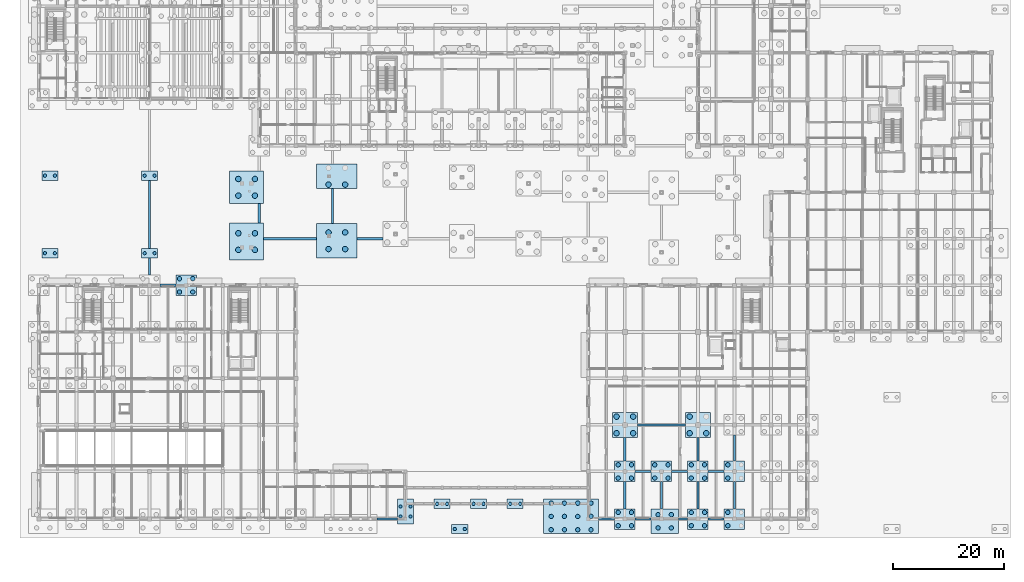
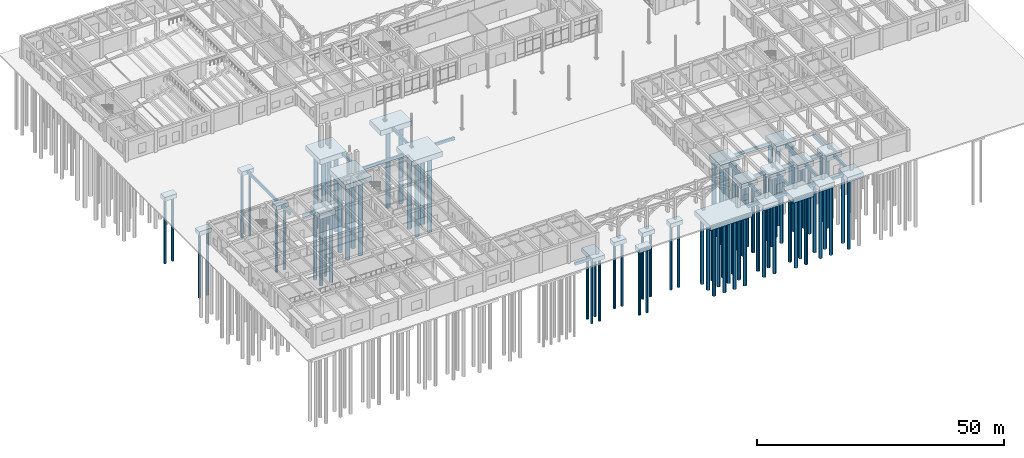
# One storey, part 2 of 82: 85 piles, 48 footings.
"""IFC4 building model written with IfcOpenShell, lengths in metres."""

from ifc_helpers import new_model, si_unit, direction, frame, origin, origin_2d, place, context, subcontext, project, spatial, rectangle, circle, extrude, material, material_profile, profile_set, type_object, element, save


model = new_model("IFC4")

# Units and contexts
model_context = context("Model", 3, precision=1e-05, world=origin(), true_north=direction((0.0, 1.0)))
body_context = subcontext(model_context, "Body", "Model", "MODEL_VIEW")
ifc_project = project(units=[si_unit("LENGTHUNIT", "METRE"), si_unit("AREAUNIT", "SQUARE_METRE"), si_unit("VOLUMEUNIT", "CUBIC_METRE"), si_unit("PLANEANGLEUNIT", "RADIAN"), si_unit("MASSUNIT", "GRAM", prefix="KILO")], contexts=[model_context])

# Site, building, storey
site_placement = place(None, origin())
site = spatial("IfcSite", under=ifc_project, at=site_placement, CompositionType="ELEMENT")
building_placement = place(site_placement, origin())
building = spatial("IfcBuilding", under=site, at=building_placement, Name="Kolvaren Faculty of Natural Sciences", CompositionType="ELEMENT")
storey_placement = place(building_placement, origin())
storey = spatial("IfcBuildingStorey", under=building, at=storey_placement, Name="L00", CompositionType="ELEMENT", Elevation=0.0)

# Piles
ifc_material = material(Name="Concrete C35/45", Category="concrete")
ifc_material_profile_1 = material_profile(ifc_material, circle(Radius=0.5, at=origin_2d()), Name="PILE D1000")
ifc_profile_set_1 = profile_set([ifc_material_profile_1], Name="Concrete C35/45")
pile_type_1 = type_object("IfcPileType", Name="BoredPile_1000", PredefinedType="BORED", material=ifc_profile_set_1)
for number, where, z_axis, x_axis, name in (
    (1, (36.02490234375, 48.60009765625, -1.469970703125), (0.0, 0.0, -1.0), (1.0, 0.0, 0.0), "Rock-socketed bored pile BP-1000 under CAP-127"),
    (2, (36.02490234375, 51.60009765625, -1.469970703125), (0.0, 0.0, -1.0), (1.0, 0.0, 0.0), "Rock-socketed bored pile BP-1000 under CAP-127"),
    (3, (39.02490234375, 48.60009765625, -1.469970703125), (0.0, 0.0, -1.0), (1.0, 0.0, 0.0), "Rock-socketed bored pile BP-1000 under CAP-127"),
    (4, (39.02490234375, 51.60009765625, -1.469970703125), (0.0, 0.0, -1.0), (1.0, 0.0, 0.0), "Rock-socketed bored pile BP-1000 under CAP-127"),
    (5, (36.02490234375, 58.39990234375, -1.469970703125), (0.0, 0.0, -1.0), (1.0, 0.0, 0.0), "Rock-socketed bored pile BP-1000 under CAP-128"),
    (6, (36.02490234375, 61.39990234375, -1.469970703125), (0.0, 0.0, -1.0), (1.0, 0.0, 0.0), "Rock-socketed bored pile BP-1000 under CAP-128"),
    (7, (39.02490234375, 58.39990234375, -1.469970703125), (0.0, 0.0, -1.0), (1.0, 0.0, 0.0), "Rock-socketed bored pile BP-1000 under CAP-128"),
    (8, (39.02490234375, 61.39990234375, -1.469970703125), (0.0, 0.0, -1.0), (1.0, 0.0, 0.0), "Rock-socketed bored pile BP-1000 under CAP-128"),
    (9, (52.300048828125, 48.7451171875, -1.469970703125), (0.0, 0.0, -1.0), (1.0, 0.0, 0.0), "Rock-socketed bored pile BP-1000 under CAP-145"),
    (10, (52.300048828125, 51.7451171875, -1.469970703125), (0.0, 0.0, -1.0), (1.0, 0.0, 0.0), "Rock-socketed bored pile BP-1000 under CAP-145"),
    (11, (55.300048828125, 48.7451171875, -1.469970703125), (0.0, 0.0, -1.0), (1.0, 0.0, 0.0), "Rock-socketed bored pile BP-1000 under CAP-145"),
    (12, (55.300048828125, 51.7451171875, -1.469970703125), (0.0, 0.0, -1.0), (1.0, 0.0, 0.0), "Rock-socketed bored pile BP-1000 under CAP-145"),
    (13, (52.300048828125, 60.389892578125, -1.469970703125), (0.0, 0.0, -1.0), (1.0, 0.0, 0.0), "Rock-socketed bored pile BP-1000 under CAP-146"),
    (14, (55.300048828125, 60.389892578125, -1.469970703125), (0.0, 0.0, -1.0), (1.0, 0.0, 0.0), "Rock-socketed bored pile BP-1000 under CAP-146"),
    (15, (104.300048828125, 15.5, -1.469970703125), (0.0, 0.0, -1.0), (1.0, 0.0, 0.0), "Rock-socketed bored pile BP-1000 under CAP-191"),
    (16, (104.300048828125, 18.5, -1.469970703125), (0.0, 0.0, -1.0), (1.0, 0.0, 0.0), "Rock-socketed bored pile BP-1000 under CAP-191"),
    (17, (107.300048828125, 15.5, -1.469970703125), (0.0, 0.0, -1.0), (1.0, 0.0, 0.0), "Rock-socketed bored pile BP-1000 under CAP-191"),
    (18, (107.300048828125, 18.5, -1.469970703125), (0.0, 0.0, -1.0), (1.0, 0.0, 0.0), "Rock-socketed bored pile BP-1000 under CAP-191"),
    (19, (117.5, 15.5, -1.469970703125), (0.0, 0.0, -1.0), (1.0, 0.0, 0.0), "Rock-socketed bored pile BP-1000 under CAP-205"),
    (20, (117.5, 18.5, -1.469970703125), (0.0, 0.0, -1.0), (1.0, 0.0, 0.0), "Rock-socketed bored pile BP-1000 under CAP-205"),
    (21, (120.5, 15.5, -1.469970703125), (0.0, 0.0, -1.0), (1.0, 0.0, 0.0), "Rock-socketed bored pile BP-1000 under CAP-205"),
):
    element("IfcPile", number, at=place(storey_placement, frame(where, z_axis=z_axis, x_axis=x_axis)), inside=storey, type_object=pile_type_1, Name=name, PredefinedType="BORED", context=body_context, shape_type="SweptSolid", body=[
        extrude(circle(Radius=0.5, at=origin_2d()), origin(), (0.0, 0.0, 1.0), 18.830078125),
    ])
ifc_material_profile_2 = material_profile(ifc_material, circle(Radius=0.300048828125, at=origin_2d()), Name="PILE D600")
ifc_profile_set_2 = profile_set([ifc_material_profile_2], Name="Concrete C35/45")
pile_type_2 = type_object("IfcPileType", Name="BoredPile_600", PredefinedType="BORED", material=ifc_profile_set_2)
for number, where, z_axis, x_axis, name in (
    (22, (1.10009765625, 48.0, -1.27001953125), (0.0, 0.0, -1.0), (1.0, 0.0, 0.0), "Rock-socketed bored pile BP-600 under CAP-091"),
    (23, (2.89990234375, 48.0, -1.27001953125), (0.0, 0.0, -1.0), (1.0, 0.0, 0.0), "Rock-socketed bored pile BP-600 under CAP-091"),
    (24, (1.10009765625, 62.0, -1.27001953125), (0.0, 0.0, -1.0), (1.0, 0.0, 0.0), "Rock-socketed bored pile BP-600 under CAP-092"),
    (25, (2.89990234375, 62.0, -1.27001953125), (0.0, 0.0, -1.0), (1.0, 0.0, 0.0), "Rock-socketed bored pile BP-600 under CAP-092"),
    (26, (19.10009765625, 48.0, -1.27001953125), (0.0, 0.0, -1.0), (1.0, 0.0, 0.0), "Rock-socketed bored pile BP-600 under CAP-112"),
    (27, (20.89990234375, 48.0, -1.27001953125), (0.0, 0.0, -1.0), (1.0, 0.0, 0.0), "Rock-socketed bored pile BP-600 under CAP-112"),
    (28, (19.10009765625, 62.0, -1.27001953125), (0.0, 0.0, -1.0), (1.0, 0.0, 0.0), "Rock-socketed bored pile BP-600 under CAP-113"),
    (29, (20.89990234375, 62.0, -1.27001953125), (0.0, 0.0, -1.0), (1.0, 0.0, 0.0), "Rock-socketed bored pile BP-600 under CAP-113"),
    (30, (65.300048828125, 0.47509765625, -1.27001953125), (0.0, 0.0, -1.0), (1.0, 0.0, 0.0), "Rock-socketed bored pile BP-600 under CAP-158"),
    (31, (65.300048828125, 2.27490234375, -1.27001953125), (0.0, 0.0, -1.0), (1.0, 0.0, 0.0), "Rock-socketed bored pile BP-600 under CAP-158"),
    (32, (67.10009765625, 0.47509765625, -1.27001953125), (0.0, 0.0, -1.0), (1.0, 0.0, 0.0), "Rock-socketed bored pile BP-600 under CAP-158"),
    (33, (67.10009765625, 2.27490234375, -1.27001953125), (0.0, 0.0, -1.0), (1.0, 0.0, 0.0), "Rock-socketed bored pile BP-600 under CAP-158"),
    (34, (71.89990234375, 2.75, -1.27001953125), (0.0, 0.0, -1.0), (1.0, 0.0, 0.0), "Rock-socketed bored pile BP-600 under CAP-162"),
    (35, (73.699951171875, 2.75, -1.27001953125), (0.0, 0.0, -1.0), (1.0, 0.0, 0.0), "Rock-socketed bored pile BP-600 under CAP-162"),
    (36, (75.10009765625, -1.800048828125, -1.27001953125), (0.0, 0.0, -1.0), (1.0, 0.0, 0.0), "Rock-socketed bored pile BP-600 under CAP-167"),
    (37, (76.89990234375, -1.800048828125, -1.27001953125), (0.0, 0.0, -1.0), (1.0, 0.0, 0.0), "Rock-socketed bored pile BP-600 under CAP-167"),
    (38, (78.5, 2.75, -1.27001953125), (0.0, 0.0, -1.0), (1.0, 0.0, 0.0), "Rock-socketed bored pile BP-600 under CAP-172"),
    (39, (80.300048828125, 2.75, -1.27001953125), (0.0, 0.0, -1.0), (1.0, 0.0, 0.0), "Rock-socketed bored pile BP-600 under CAP-172"),
    (40, (85.10009765625, 2.75, -1.27001953125), (0.0, 0.0, -1.0), (1.0, 0.0, 0.0), "Rock-socketed bored pile BP-600 under CAP-175"),
    (41, (86.89990234375, 2.75, -1.27001953125), (0.0, 0.0, -1.0), (1.0, 0.0, 0.0), "Rock-socketed bored pile BP-600 under CAP-175"),
):
    element("IfcPile", number, at=place(storey_placement, frame(where, z_axis=z_axis, x_axis=x_axis)), inside=storey, type_object=pile_type_2, Name=name, PredefinedType="BORED", context=body_context, shape_type="SweptSolid", body=[
        extrude(circle(Radius=0.300048828125, at=origin_2d()), origin(), (0.0, 0.0, 1.0), 15.929931640625),
    ])
ifc_material_profile_3 = material_profile(ifc_material, circle(Radius=0.39990234375, at=origin_2d()), Name="PILE D800")
ifc_profile_set_3 = profile_set([ifc_material_profile_3], Name="Concrete C35/45")
pile_type_3 = type_object("IfcPileType", Name="BoredPile_800", PredefinedType="BORED", material=ifc_profile_set_3)
for number, where, z_axis, x_axis, name in (
    (42, (25.39990234375, 41.0, -1.469970703125), (0.0, 0.0, -1.0), (1.0, 0.0, 0.0), "Rock-socketed bored pile BP-800 under CAP-117"),
    (43, (25.39990234375, 43.39990234375, -1.469970703125), (0.0, 0.0, -1.0), (1.0, 0.0, 0.0), "Rock-socketed bored pile BP-800 under CAP-117"),
    (44, (27.800048828125, 41.0, -1.469970703125), (0.0, 0.0, -1.0), (1.0, 0.0, 0.0), "Rock-socketed bored pile BP-800 under CAP-117"),
    (45, (27.800048828125, 43.39990234375, -1.469970703125), (0.0, 0.0, -1.0), (1.0, 0.0, 0.0), "Rock-socketed bored pile BP-800 under CAP-117"),
    (46, (92.5, -1.925048828125, -1.469970703125), (0.0, 0.0, -1.0), (1.0, 0.0, 0.0), "Rock-socketed bored pile BP-800 under CAP-181"),
    (47, (92.5, 0.47509765625, -1.469970703125), (0.0, 0.0, -1.0), (1.0, 0.0, 0.0), "Rock-socketed bored pile BP-800 under CAP-181"),
    (48, (92.5, 2.875, -1.469970703125), (0.0, 0.0, -1.0), (1.0, 0.0, 0.0), "Rock-socketed bored pile BP-800 under CAP-181"),
    (49, (94.89990234375, -1.925048828125, -1.469970703125), (0.0, 0.0, -1.0), (1.0, 0.0, 0.0), "Rock-socketed bored pile BP-800 under CAP-181"),
    (50, (94.89990234375, 0.47509765625, -1.469970703125), (0.0, 0.0, -1.0), (1.0, 0.0, 0.0), "Rock-socketed bored pile BP-800 under CAP-181"),
    (51, (94.89990234375, 2.875, -1.469970703125), (0.0, 0.0, -1.0), (1.0, 0.0, 0.0), "Rock-socketed bored pile BP-800 under CAP-181"),
    (52, (97.300048828125, -1.925048828125, -1.469970703125), (0.0, 0.0, -1.0), (1.0, 0.0, 0.0), "Rock-socketed bored pile BP-800 under CAP-181"),
    (53, (97.300048828125, 0.47509765625, -1.469970703125), (0.0, 0.0, -1.0), (1.0, 0.0, 0.0), "Rock-socketed bored pile BP-800 under CAP-181"),
    (54, (97.300048828125, 2.875, -1.469970703125), (0.0, 0.0, -1.0), (1.0, 0.0, 0.0), "Rock-socketed bored pile BP-800 under CAP-181"),
    (55, (99.699951171875, -1.925048828125, -1.469970703125), (0.0, 0.0, -1.0), (1.0, 0.0, 0.0), "Rock-socketed bored pile BP-800 under CAP-181"),
    (56, (99.699951171875, 0.47509765625, -1.469970703125), (0.0, 0.0, -1.0), (1.0, 0.0, 0.0), "Rock-socketed bored pile BP-800 under CAP-181"),
    (57, (99.699951171875, 2.875, -1.469970703125), (0.0, 0.0, -1.0), (1.0, 0.0, 0.0), "Rock-socketed bored pile BP-800 under CAP-181"),
    (58, (104.60009765625, -1.199951171875, -1.469970703125), (0.0, 0.0, -1.0), (1.0, 0.0, 0.0), "Rock-socketed bored pile BP-800 under CAP-192"),
    (59, (104.60009765625, 1.199951171875, -1.469970703125), (0.0, 0.0, -1.0), (1.0, 0.0, 0.0), "Rock-socketed bored pile BP-800 under CAP-192"),
    (60, (107.0, -1.199951171875, -1.469970703125), (0.0, 0.0, -1.0), (1.0, 0.0, 0.0), "Rock-socketed bored pile BP-800 under CAP-192"),
    (61, (107.0, 1.199951171875, -1.469970703125), (0.0, 0.0, -1.0), (1.0, 0.0, 0.0), "Rock-socketed bored pile BP-800 under CAP-192"),
    (62, (104.60009765625, 7.39990234375, -1.469970703125), (0.0, 0.0, -1.0), (1.0, 0.0, 0.0), "Rock-socketed bored pile BP-800 under CAP-193"),
    (63, (104.60009765625, 9.800048828125, -1.469970703125), (0.0, 0.0, -1.0), (1.0, 0.0, 0.0), "Rock-socketed bored pile BP-800 under CAP-193"),
    (64, (107.0, 7.39990234375, -1.469970703125), (0.0, 0.0, -1.0), (1.0, 0.0, 0.0), "Rock-socketed bored pile BP-800 under CAP-193"),
    (65, (107.0, 9.800048828125, -1.469970703125), (0.0, 0.0, -1.0), (1.0, 0.0, 0.0), "Rock-socketed bored pile BP-800 under CAP-193"),
    (66, (111.800048828125, -1.60009765625, -1.469970703125), (0.0, 0.0, -1.0), (1.0, 0.0, 0.0), "Rock-socketed bored pile BP-800 under CAP-199"),
    (67, (111.800048828125, 0.800048828125, -1.469970703125), (0.0, 0.0, -1.0), (1.0, 0.0, 0.0), "Rock-socketed bored pile BP-800 under CAP-199"),
    (68, (114.199951171875, -1.60009765625, -1.469970703125), (0.0, 0.0, -1.0), (1.0, 0.0, 0.0), "Rock-socketed bored pile BP-800 under CAP-199"),
    (69, (114.199951171875, 0.800048828125, -1.469970703125), (0.0, 0.0, -1.0), (1.0, 0.0, 0.0), "Rock-socketed bored pile BP-800 under CAP-199"),
    (70, (111.199951171875, 7.39990234375, -1.469970703125), (0.0, 0.0, -1.0), (1.0, 0.0, 0.0), "Rock-socketed bored pile BP-800 under CAP-200"),
    (71, (111.199951171875, 9.800048828125, -1.469970703125), (0.0, 0.0, -1.0), (1.0, 0.0, 0.0), "Rock-socketed bored pile BP-800 under CAP-200"),
    (72, (113.60009765625, 7.39990234375, -1.469970703125), (0.0, 0.0, -1.0), (1.0, 0.0, 0.0), "Rock-socketed bored pile BP-800 under CAP-200"),
    (73, (113.60009765625, 9.800048828125, -1.469970703125), (0.0, 0.0, -1.0), (1.0, 0.0, 0.0), "Rock-socketed bored pile BP-800 under CAP-200"),
    (74, (117.800048828125, -1.199951171875, -1.469970703125), (0.0, 0.0, -1.0), (1.0, 0.0, 0.0), "Rock-socketed bored pile BP-800 under CAP-208"),
    (75, (117.800048828125, 1.199951171875, -1.469970703125), (0.0, 0.0, -1.0), (1.0, 0.0, 0.0), "Rock-socketed bored pile BP-800 under CAP-208"),
    (76, (120.199951171875, -1.199951171875, -1.469970703125), (0.0, 0.0, -1.0), (1.0, 0.0, 0.0), "Rock-socketed bored pile BP-800 under CAP-208"),
    (77, (120.199951171875, 1.199951171875, -1.469970703125), (0.0, 0.0, -1.0), (1.0, 0.0, 0.0), "Rock-socketed bored pile BP-800 under CAP-208"),
    (78, (117.800048828125, 7.39990234375, -1.469970703125), (0.0, 0.0, -1.0), (1.0, 0.0, 0.0), "Rock-socketed bored pile BP-800 under CAP-209"),
    (79, (117.800048828125, 9.800048828125, -1.469970703125), (0.0, 0.0, -1.0), (1.0, 0.0, 0.0), "Rock-socketed bored pile BP-800 under CAP-209"),
    (80, (120.199951171875, 7.39990234375, -1.469970703125), (0.0, 0.0, -1.0), (1.0, 0.0, 0.0), "Rock-socketed bored pile BP-800 under CAP-209"),
    (81, (120.199951171875, 9.800048828125, -1.469970703125), (0.0, 0.0, -1.0), (1.0, 0.0, 0.0), "Rock-socketed bored pile BP-800 under CAP-209"),
    (82, (124.39990234375, -1.199951171875, -1.469970703125), (0.0, 0.0, -1.0), (1.0, 0.0, 0.0), "Rock-socketed bored pile BP-800 under CAP-212"),
    (83, (124.39990234375, 1.199951171875, -1.469970703125), (0.0, 0.0, -1.0), (1.0, 0.0, 0.0), "Rock-socketed bored pile BP-800 under CAP-212"),
    (84, (124.39990234375, 7.39990234375, -1.469970703125), (0.0, 0.0, -1.0), (1.0, 0.0, 0.0), "Rock-socketed bored pile BP-800 under CAP-213"),
    (85, (124.39990234375, 9.800048828125, -1.469970703125), (0.0, 0.0, -1.0), (1.0, 0.0, 0.0), "Rock-socketed bored pile BP-800 under CAP-213"),
):
    element("IfcPile", number, at=place(storey_placement, frame(where, z_axis=z_axis, x_axis=x_axis)), inside=storey, type_object=pile_type_3, Name=name, PredefinedType="BORED", context=body_context, shape_type="SweptSolid", body=[
        extrude(circle(Radius=0.39990234375, at=origin_2d()), origin(), (0.0, 0.0, 1.0), 16.929931640625),
    ])

# Footings
ifc_material_profile_4 = material_profile(ifc_material, rectangle(XDim=0.39990234375, YDim=0.699951171875, at=origin_2d()), Name="RC FB 400x700")
ifc_profile_set_4 = profile_set([ifc_material_profile_4], Name="Concrete C35/45")
footing_type_1 = type_object("IfcFootingType", Name="FootingTieBeam_400x700", PredefinedType="FOOTING_BEAM", material=ifc_profile_set_4)
footing_1_placement = place(storey_placement, frame((61.050048828125, 0.0, -0.75), z_axis=(1.0, 0.0, 0.0), x_axis=(0.0, 1.0, 0.0)))
element("IfcFooting", 86, at=footing_1_placement, inside=storey, type_object=footing_type_1, Name="L00 orthogonal foundation tie beam FB-01", PredefinedType="FOOTING_BEAM", context=body_context, shape_type="SweptSolid", body=[
    extrude(rectangle(XDim=0.39990234375, YDim=0.699951171875, at=origin_2d()), origin(), (0.0, 0.0, 1.0), 3.699951171875),
])
footing_2_placement = place(storey_placement, frame((101.050048828125, 0.0, -0.75), z_axis=(1.0, 0.0, 0.0), x_axis=(0.0, 1.0, 0.0)))
element("IfcFooting", 87, at=footing_2_placement, inside=storey, type_object=footing_type_1, Name="L00 orthogonal foundation tie beam FB-01", PredefinedType="FOOTING_BEAM", context=body_context, shape_type="SweptSolid", body=[
    extrude(rectangle(XDim=0.39990234375, YDim=0.699951171875, at=origin_2d()), origin(), (0.0, 0.0, 1.0), 2.89990234375),
])
footing_3_placement = place(storey_placement, frame((107.64990234375, 0.0, -0.75), z_axis=(1.0, 0.0, 0.0), x_axis=(0.0, 1.0, 0.0)))
element("IfcFooting", 88, at=footing_3_placement, inside=storey, type_object=footing_type_1, Name="L00 orthogonal foundation tie beam FB-01", PredefinedType="FOOTING_BEAM", context=body_context, shape_type="SweptSolid", body=[
    extrude(rectangle(XDim=0.39990234375, YDim=0.699951171875, at=origin_2d()), origin(), (0.0, 0.0, 1.0), 2.900146484375),
])
footing_4_placement = place(storey_placement, frame((115.449951171875, 0.0, -0.75), z_axis=(1.0, 0.0, 0.0), x_axis=(0.0, 1.0, 0.0)))
element("IfcFooting", 89, at=footing_4_placement, inside=storey, type_object=footing_type_1, Name="L00 orthogonal foundation tie beam FB-01", PredefinedType="FOOTING_BEAM", context=body_context, shape_type="SweptSolid", body=[
    extrude(rectangle(XDim=0.39990234375, YDim=0.699951171875, at=origin_2d()), origin(), (0.0, 0.0, 1.0), 1.699951171875),
])
footing_5_placement = place(storey_placement, frame((120.85009765625, 0.0, -0.75), z_axis=(1.0, 0.0, 0.0), x_axis=(0.0, 1.0, 0.0)))
element("IfcFooting", 90, at=footing_5_placement, inside=storey, type_object=footing_type_1, Name="L00 orthogonal foundation tie beam FB-01", PredefinedType="FOOTING_BEAM", context=body_context, shape_type="SweptSolid", body=[
    extrude(rectangle(XDim=0.39990234375, YDim=0.699951171875, at=origin_2d()), origin(), (0.0, 0.0, 1.0), 2.89990234375),
])
footing_6_placement = place(storey_placement, frame((107.64990234375, 8.60009765625, -0.75), z_axis=(1.0, 0.0, 0.0), x_axis=(0.0, 1.0, 0.0)))
element("IfcFooting", 91, at=footing_6_placement, inside=storey, type_object=footing_type_1, Name="L00 orthogonal foundation tie beam FB-01", PredefinedType="FOOTING_BEAM", context=body_context, shape_type="SweptSolid", body=[
    extrude(rectangle(XDim=0.39990234375, YDim=0.699951171875, at=origin_2d()), origin(), (0.0, 0.0, 1.0), 2.900146484375),
])
for number, where, z_axis, x_axis, name in (
    (92, (114.25, 8.60009765625, -0.75), (1.0, 0.0, 0.0), (0.0, 1.0, 0.0), "L00 orthogonal foundation tie beam FB-01"),
    (93, (120.85009765625, 8.60009765625, -0.75), (1.0, 0.0, 0.0), (0.0, 1.0, 0.0), "L00 orthogonal foundation tie beam FB-01"),
):
    element("IfcFooting", number, at=place(storey_placement, frame(where, z_axis=z_axis, x_axis=x_axis)), inside=storey, type_object=footing_type_1, Name=name, PredefinedType="FOOTING_BEAM", context=body_context, shape_type="SweptSolid", body=[
        extrude(rectangle(XDim=0.39990234375, YDim=0.699951171875, at=origin_2d()), origin(), (0.0, 0.0, 1.0), 2.89990234375),
    ])
footing_7_placement = place(storey_placement, frame((108.050048828125, 17.0, -0.75), z_axis=(1.0, 0.0, 0.0), x_axis=(0.0, 1.0, 0.0)))
element("IfcFooting", 94, at=footing_7_placement, inside=storey, type_object=footing_type_1, Name="L00 orthogonal foundation tie beam FB-01", PredefinedType="FOOTING_BEAM", context=body_context, shape_type="SweptSolid", body=[
    extrude(rectangle(XDim=0.39990234375, YDim=0.699951171875, at=origin_2d()), origin(), (0.0, 0.0, 1.0), 8.699951171875),
])
footing_8_placement = place(storey_placement, frame((21.85009765625, 42.199951171875, -0.75), z_axis=(1.0, 0.0, 0.0), x_axis=(0.0, 1.0, 0.0)))
element("IfcFooting", 95, at=footing_8_placement, inside=storey, type_object=footing_type_1, Name="L00 orthogonal foundation tie beam FB-01", PredefinedType="FOOTING_BEAM", context=body_context, shape_type="SweptSolid", body=[
    extrude(rectangle(XDim=0.39990234375, YDim=0.699951171875, at=origin_2d()), origin(), (0.0, 0.0, 1.0), 2.89990234375),
])
footing_9_placement = place(storey_placement, frame((40.60009765625, 50.60009765625, -0.75), z_axis=(1.0, 0.0, 0.0), x_axis=(0.0, 1.0, 0.0)))
element("IfcFooting", 96, at=footing_9_placement, inside=storey, type_object=footing_type_1, Name="L00 orthogonal foundation tie beam FB-01", PredefinedType="FOOTING_BEAM", context=body_context, shape_type="SweptSolid", body=[
    extrude(rectangle(XDim=0.39990234375, YDim=0.699951171875, at=origin_2d()), origin(), (0.0, 0.0, 1.0), 9.5498046875),
])
footing_10_placement = place(storey_placement, frame((57.449951171875, 50.60009765625, -0.75), z_axis=(1.0, 0.0, 0.0), x_axis=(0.0, 1.0, 0.0)))
element("IfcFooting", 97, at=footing_10_placement, inside=storey, type_object=footing_type_1, Name="L00 orthogonal foundation tie beam FB-01", PredefinedType="FOOTING_BEAM", context=body_context, shape_type="SweptSolid", body=[
    extrude(rectangle(XDim=0.39990234375, YDim=0.699951171875, at=origin_2d()), origin(), (0.0, 0.0, 1.0), 4.699951171875),
])
footing_11_placement = place(storey_placement, frame((20.0, 44.050048828125, -0.75), z_axis=(0.0, 1.0, 0.0), x_axis=(-1.0, 0.0, 0.0)))
element("IfcFooting", 98, at=footing_11_placement, inside=storey, type_object=footing_type_1, Name="L00 orthogonal foundation tie beam FB-01", PredefinedType="FOOTING_BEAM", context=body_context, shape_type="SweptSolid", body=[
    extrude(rectangle(XDim=0.39990234375, YDim=0.699951171875, at=origin_2d()), origin(), (0.0, 0.0, 1.0), 3.099853515625),
])
footing_12_placement = place(storey_placement, frame((20.0, 48.85009765625, -0.75), z_axis=(0.0, 1.0, 0.0), x_axis=(-1.0, 0.0, 0.0)))
element("IfcFooting", 99, at=footing_12_placement, inside=storey, type_object=footing_type_1, Name="L00 orthogonal foundation tie beam FB-01", PredefinedType="FOOTING_BEAM", context=body_context, shape_type="SweptSolid", body=[
    extrude(rectangle(XDim=0.39990234375, YDim=0.699951171875, at=origin_2d()), origin(), (0.0, 0.0, 1.0), 12.2998046875),
])
footing_13_placement = place(storey_placement, frame((39.800048828125, 53.449951171875, -0.75), z_axis=(0.0, 1.0, 0.0), x_axis=(-1.0, 0.0, 0.0)))
element("IfcFooting", 100, at=footing_13_placement, inside=storey, type_object=footing_type_1, Name="L00 orthogonal foundation tie beam FB-01", PredefinedType="FOOTING_BEAM", context=body_context, shape_type="SweptSolid", body=[
    extrude(rectangle(XDim=0.39990234375, YDim=0.699951171875, at=origin_2d()), origin(), (0.0, 0.0, 1.0), 3.5),
])
footing_14_placement = place(storey_placement, frame((53.0, 53.340087890625, -0.75), z_axis=(0.0, 1.0, 0.0), x_axis=(-1.0, 0.0, 0.0)))
element("IfcFooting", 101, at=footing_14_placement, inside=storey, type_object=footing_type_1, Name="L00 orthogonal foundation tie beam FB-01", PredefinedType="FOOTING_BEAM", context=body_context, shape_type="SweptSolid", body=[
    extrude(rectangle(XDim=0.39990234375, YDim=0.699951171875, at=origin_2d()), origin(), (0.0, 0.0, 1.0), 6.2998046875),
])
footing_15_placement = place(storey_placement, frame((105.800048828125, 1.85009765625, -0.75), z_axis=(0.0, 1.0, 0.0), x_axis=(-1.0, 0.0, 0.0)))
element("IfcFooting", 102, at=footing_15_placement, inside=storey, type_object=footing_type_1, Name="L00 orthogonal foundation tie beam FB-01", PredefinedType="FOOTING_BEAM", context=body_context, shape_type="SweptSolid", body=[
    extrude(rectangle(XDim=0.39990234375, YDim=0.699951171875, at=origin_2d()), origin(), (0.0, 0.0, 1.0), 4.89990234375),
])
footing_16_placement = place(storey_placement, frame((105.800048828125, 10.449951171875, -0.75), z_axis=(0.0, 1.0, 0.0), x_axis=(-1.0, 0.0, 0.0)))
element("IfcFooting", 103, at=footing_16_placement, inside=storey, type_object=footing_type_1, Name="L00 orthogonal foundation tie beam FB-01", PredefinedType="FOOTING_BEAM", context=body_context, shape_type="SweptSolid", body=[
    extrude(rectangle(XDim=0.39990234375, YDim=0.699951171875, at=origin_2d()), origin(), (0.0, 0.0, 1.0), 4.300048828125),
])
for number, where, z_axis, x_axis, name in (
    (104, (112.39990234375, 1.85009765625, -0.75), (0.0, 1.0, 0.0), (-1.0, 0.0, 0.0), "L00 orthogonal foundation tie beam FB-01"),
    (105, (119.0, 1.85009765625, -0.75), (0.0, 1.0, 0.0), (-1.0, 0.0, 0.0), "L00 orthogonal foundation tie beam FB-01"),
):
    element("IfcFooting", number, at=place(storey_placement, frame(where, z_axis=z_axis, x_axis=x_axis)), inside=storey, type_object=footing_type_1, Name=name, PredefinedType="FOOTING_BEAM", context=body_context, shape_type="SweptSolid", body=[
        extrude(rectangle(XDim=0.39990234375, YDim=0.699951171875, at=origin_2d()), origin(), (0.0, 0.0, 1.0), 4.89990234375),
    ])
footing_17_placement = place(storey_placement, frame((119.0, 10.449951171875, -0.75), z_axis=(0.0, 1.0, 0.0), x_axis=(-1.0, 0.0, 0.0)))
element("IfcFooting", 106, at=footing_17_placement, inside=storey, type_object=footing_type_1, Name="L00 orthogonal foundation tie beam FB-01", PredefinedType="FOOTING_BEAM", context=body_context, shape_type="SweptSolid", body=[
    extrude(rectangle(XDim=0.39990234375, YDim=0.699951171875, at=origin_2d()), origin(), (0.0, 0.0, 1.0), 4.300048828125),
])
footing_18_placement = place(storey_placement, frame((125.60009765625, 1.85009765625, -0.75), z_axis=(0.0, 1.0, 0.0), x_axis=(-1.0, 0.0, 0.0)))
element("IfcFooting", 107, at=footing_18_placement, inside=storey, type_object=footing_type_1, Name="L00 orthogonal foundation tie beam FB-01", PredefinedType="FOOTING_BEAM", context=body_context, shape_type="SweptSolid", body=[
    extrude(rectangle(XDim=0.39990234375, YDim=0.699951171875, at=origin_2d()), origin(), (0.0, 0.0, 1.0), 4.89990234375),
])
footing_19_placement = place(storey_placement, frame((125.60009765625, 10.449951171875, -0.75), z_axis=(0.0, 1.0, 0.0), x_axis=(-1.0, 0.0, 0.0)))
element("IfcFooting", 108, at=footing_19_placement, inside=storey, type_object=footing_type_1, Name="L00 orthogonal foundation tie beam FB-01", PredefinedType="FOOTING_BEAM", context=body_context, shape_type="SweptSolid", body=[
    extrude(rectangle(XDim=0.39990234375, YDim=0.699951171875, at=origin_2d()), origin(), (0.0, 0.0, 1.0), 4.699951171875),
])
footing_type_2 = type_object("IfcFootingType", Name="PileCap_2900x1700x1050", PredefinedType="PILE_CAP", material=ifc_material)
for number, where, z_axis, x_axis, name in (
    (109, (2.0, 48.0, -1.3701171875), (0.0, 0.0, 1.0), (1.0, 0.0, 0.0), "L00 reinforced concrete pile cap PC-19 (CAP-091)"),
    (110, (2.0, 62.0, -1.3701171875), (0.0, 0.0, 1.0), (1.0, 0.0, 0.0), "L00 reinforced concrete pile cap PC-19 (CAP-092)"),
    (111, (20.0, 48.0, -1.3701171875), (0.0, 0.0, 1.0), (1.0, 0.0, 0.0), "L00 reinforced concrete pile cap PC-19 (CAP-112)"),
    (112, (20.0, 62.0, -1.3701171875), (0.0, 0.0, 1.0), (1.0, 0.0, 0.0), "L00 reinforced concrete pile cap PC-19 (CAP-113)"),
    (113, (72.800048828125, 2.75, -1.3701171875), (0.0, 0.0, 1.0), (1.0, 0.0, 0.0), "L00 reinforced concrete pile cap PC-19 (CAP-162)"),
    (114, (76.0, -1.800048828125, -1.3701171875), (0.0, 0.0, 1.0), (1.0, 0.0, 0.0), "L00 reinforced concrete pile cap PC-19 (CAP-167)"),
    (115, (79.39990234375, 2.75, -1.3701171875), (0.0, 0.0, 1.0), (1.0, 0.0, 0.0), "L00 reinforced concrete pile cap PC-19 (CAP-172)"),
    (116, (86.0, 2.75, -1.3701171875), (0.0, 0.0, 1.0), (1.0, 0.0, 0.0), "L00 reinforced concrete pile cap PC-19 (CAP-175)"),
):
    element("IfcFooting", number, at=place(storey_placement, frame(where, z_axis=z_axis, x_axis=x_axis)), inside=storey, type_object=footing_type_2, Name=name, PredefinedType="PILE_CAP", context=body_context, shape_type="SweptSolid", body=[
        extrude(rectangle(XDim=2.89990234375, YDim=1.699951171875, at=origin_2d()), origin(), (0.0, 0.0, 1.0), 1.050048828125),
    ])
footing_type_3 = type_object("IfcFootingType", Name="PileCap_2900x4450x1050", PredefinedType="PILE_CAP", material=ifc_material)
footing_20_placement = place(storey_placement, frame((66.199951171875, 1.375, -1.3701171875), z_axis=(0.0, 0.0, 1.0), x_axis=(1.0, 0.0, 0.0)))
element("IfcFooting", 117, at=footing_20_placement, inside=storey, type_object=footing_type_3, Name="L00 reinforced concrete pile cap PC-35 (CAP-158)", PredefinedType="PILE_CAP", context=body_context, shape_type="SweptSolid", body=[
    extrude(rectangle(XDim=2.89990234375, YDim=4.449951171875, at=origin_2d()), origin(), (0.0, 0.0, 1.0), 1.050048828125),
])
footing_type_4 = type_object("IfcFootingType", Name="PileCap_3700x3700x1250", PredefinedType="PILE_CAP", material=ifc_material)
for number, where, z_axis, x_axis, name in (
    (118, (26.60009765625, 42.199951171875, -1.570068359375), (0.0, 0.0, 1.0), (1.0, 0.0, 0.0), "L00 reinforced concrete pile cap PC-16 (CAP-117)"),
    (119, (105.800048828125, 0.0, -1.570068359375), (0.0, 0.0, 1.0), (1.0, 0.0, 0.0), "L00 reinforced concrete pile cap PC-16 (CAP-192)"),
    (120, (105.800048828125, 8.60009765625, -1.570068359375), (0.0, 0.0, 1.0), (1.0, 0.0, 0.0), "L00 reinforced concrete pile cap PC-16 (CAP-193)"),
    (121, (112.39990234375, 8.60009765625, -1.570068359375), (0.0, 0.0, 1.0), (1.0, 0.0, 0.0), "L00 reinforced concrete pile cap PC-16 (CAP-200)"),
    (122, (119.0, 0.0, -1.570068359375), (0.0, 0.0, 1.0), (1.0, 0.0, 0.0), "L00 reinforced concrete pile cap PC-16 (CAP-208)"),
    (123, (119.0, 8.60009765625, -1.570068359375), (0.0, 0.0, 1.0), (1.0, 0.0, 0.0), "L00 reinforced concrete pile cap PC-16 (CAP-209)"),
    (124, (125.60009765625, 0.0, -1.570068359375), (0.0, 0.0, 1.0), (1.0, 0.0, 0.0), "L00 reinforced concrete pile cap PC-16 (CAP-212)"),
    (125, (125.60009765625, 8.60009765625, -1.570068359375), (0.0, 0.0, 1.0), (1.0, 0.0, 0.0), "L00 reinforced concrete pile cap PC-16 (CAP-213)"),
):
    element("IfcFooting", number, at=place(storey_placement, frame(where, z_axis=z_axis, x_axis=x_axis)), inside=storey, type_object=footing_type_4, Name=name, PredefinedType="PILE_CAP", context=body_context, shape_type="SweptSolid", body=[
        extrude(rectangle(XDim=3.699951171875, YDim=3.699951171875, at=origin_2d()), origin(), (0.0, 0.0, 1.0), 1.25),
    ])
footing_type_5 = type_object("IfcFootingType", Name="PileCap_4500x4500x1250", PredefinedType="PILE_CAP", material=ifc_material)
for number, where, z_axis, x_axis, name in (
    (126, (105.800048828125, 17.0, -1.570068359375), (0.0, 0.0, 1.0), (1.0, 0.0, 0.0), "L00 reinforced concrete pile cap PC-23 (CAP-191)"),
    (127, (119.0, 17.0, -1.570068359375), (0.0, 0.0, 1.0), (1.0, 0.0, 0.0), "L00 reinforced concrete pile cap PC-23 (CAP-205)"),
):
    element("IfcFooting", number, at=place(storey_placement, frame(where, z_axis=z_axis, x_axis=x_axis)), inside=storey, type_object=footing_type_5, Name=name, PredefinedType="PILE_CAP", context=body_context, shape_type="SweptSolid", body=[
        extrude(rectangle(XDim=4.5, YDim=4.5, at=origin_2d()), origin(), (0.0, 0.0, 1.0), 1.25),
    ])
footing_type_6 = type_object("IfcFootingType", Name="PileCap_4900x4500x1250", PredefinedType="PILE_CAP", material=ifc_material)
footing_21_placement = place(storey_placement, frame((113.0, -0.39990234375, -1.570068359375), z_axis=(0.0, 0.0, 1.0), x_axis=(1.0, 0.0, 0.0)))
element("IfcFooting", 128, at=footing_21_placement, inside=storey, type_object=footing_type_6, Name="L00 reinforced concrete pile cap PC-44 (CAP-199)", PredefinedType="PILE_CAP", context=body_context, shape_type="SweptSolid", body=[
    extrude(rectangle(XDim=4.89990234375, YDim=4.5, at=origin_2d()), origin(), (0.0, 0.0, 1.0), 1.25),
])
footing_type_7 = type_object("IfcFootingType", Name="PileCap_6150x5900x1250", PredefinedType="PILE_CAP", material=ifc_material)
footing_22_placement = place(storey_placement, frame((37.52490234375, 59.89990234375, -1.570068359375), z_axis=(0.0, 0.0, 1.0), x_axis=(1.0, 0.0, 0.0)))
element("IfcFooting", 129, at=footing_22_placement, inside=storey, type_object=footing_type_7, Name="L00 reinforced concrete pile cap PC-26 (CAP-128)", PredefinedType="PILE_CAP", context=body_context, shape_type="SweptSolid", body=[
    extrude(rectangle(XDim=6.14990234375, YDim=5.89990234375, at=origin_2d()), origin(), (0.0, 0.0, 1.0), 1.25),
])
footing_type_8 = type_object("IfcFootingType", Name="PileCap_6150x6700x1250", PredefinedType="PILE_CAP", material=ifc_material)
footing_23_placement = place(storey_placement, frame((37.52490234375, 50.10009765625, -1.570068359375), z_axis=(0.0, 0.0, 1.0), x_axis=(1.0, 0.0, 0.0)))
element("IfcFooting", 130, at=footing_23_placement, inside=storey, type_object=footing_type_8, Name="L00 reinforced concrete pile cap PC-25 (CAP-127)", PredefinedType="PILE_CAP", context=body_context, shape_type="SweptSolid", body=[
    extrude(rectangle(XDim=6.14990234375, YDim=6.699951171875, at=origin_2d()), origin(), (0.0, 0.0, 1.0), 1.25),
])
footing_type_9 = type_object("IfcFootingType", Name="PileCap_7300x4500x1250", PredefinedType="PILE_CAP", material=ifc_material)
footing_24_placement = place(storey_placement, frame((53.800048828125, 61.889892578125, -1.570068359375), z_axis=(0.0, 0.0, 1.0), x_axis=(1.0, 0.0, 0.0)))
element("IfcFooting", 131, at=footing_24_placement, inside=storey, type_object=footing_type_9, Name="L00 reinforced concrete pile cap PC-31 (CAP-146)", PredefinedType="PILE_CAP", context=body_context, shape_type="SweptSolid", body=[
    extrude(rectangle(XDim=7.300048828125, YDim=4.5, at=origin_2d()), origin(), (0.0, 0.0, 1.0), 1.25),
])
footing_type_10 = type_object("IfcFootingType", Name="PileCap_7300x6190x1250", PredefinedType="PILE_CAP", material=ifc_material)
footing_25_placement = place(storey_placement, frame((53.800048828125, 50.2451171875, -1.570068359375), z_axis=(0.0, 0.0, 1.0), x_axis=(1.0, 0.0, 0.0)))
element("IfcFooting", 132, at=footing_25_placement, inside=storey, type_object=footing_type_10, Name="L00 reinforced concrete pile cap PC-30 (CAP-145)", PredefinedType="PILE_CAP", context=body_context, shape_type="SweptSolid", body=[
    extrude(rectangle(XDim=7.300048828125, YDim=6.18994140625, at=origin_2d()), origin(), (0.0, 0.0, 1.0), 1.25),
])
footing_type_11 = type_object("IfcFootingType", Name="PileCap_9900x6250x1250", PredefinedType="PILE_CAP", material=ifc_material)
footing_26_placement = place(storey_placement, frame((96.10009765625, 0.47509765625, -1.570068359375), z_axis=(0.0, 0.0, 1.0), x_axis=(1.0, 0.0, 0.0)))
element("IfcFooting", 133, at=footing_26_placement, inside=storey, type_object=footing_type_11, Name="L00 reinforced concrete pile cap PC-38 (CAP-181)", PredefinedType="PILE_CAP", context=body_context, shape_type="SweptSolid", body=[
    extrude(rectangle(XDim=9.89990234375, YDim=6.25, at=origin_2d()), origin(), (0.0, 0.0, 1.0), 1.25),
])

save(model, "model.ifc")
